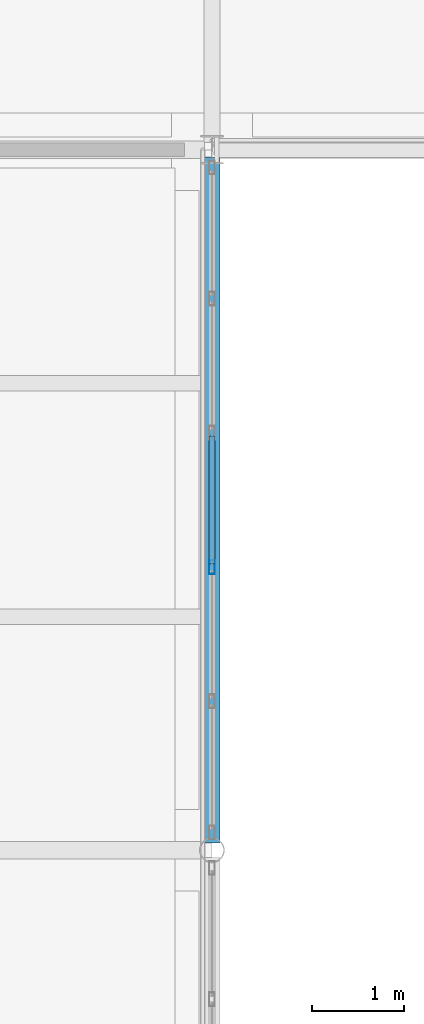
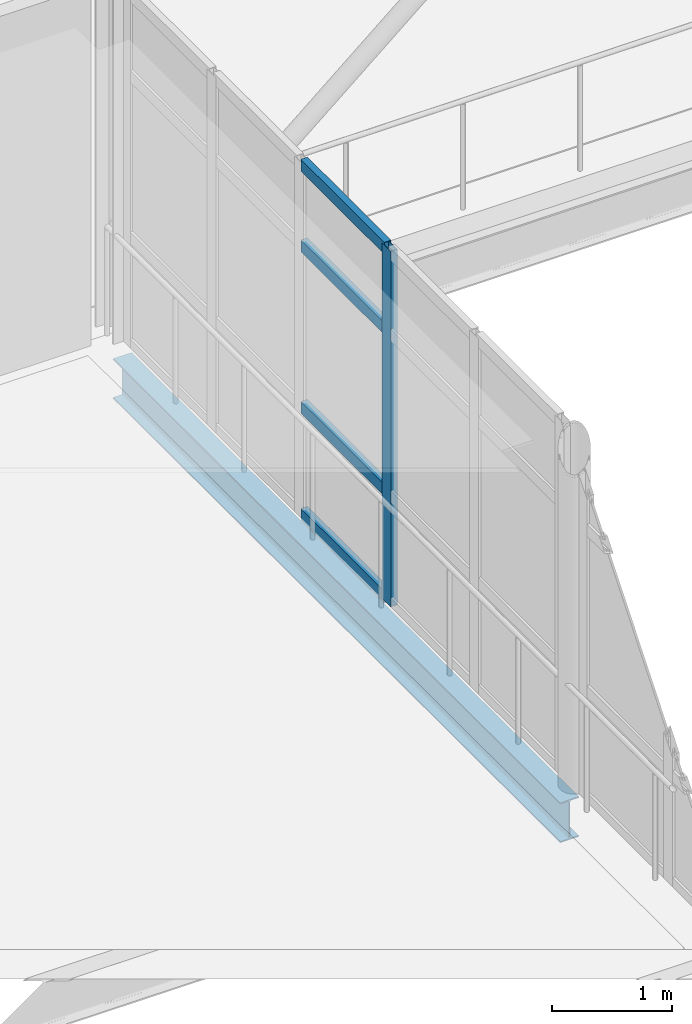
# One storey, part 75 of 174: 5 members, 1 beam, 1 element without a shape of its own.
"""IFC4 building model written with IfcOpenShell, lengths in metres."""

import ifcopenshell
import ifcopenshell.guid

model = None  # the IFC model being written
_history = None  # IfcOwnerHistory: only IFC2X3 demands one
_inside = {}  # id of a spatial element -> (the spatial element, [elements in it])
_under = {}  # id of a project, library or spatial element -> (it, [spatial elements below it])
_declared = {}  # id of a project -> (the project, [libraries it declares])
_typed = {}  # id of a type object -> (the type object, [elements of that type])
_made_of = {}  # id of a material, layer set ... -> (it, [elements and type objects made of it])


def new_model(schema):
    """Start an empty IFC model of exactly this schema.

    Asked for "IFC4X3", IfcOpenShell would pick the latest addendum, in which some entities
    have other attributes; the version numbers below select the first issue.
    IFC2X3 requires an IfcOwnerHistory on every rooted entity: one is made here for all.
    """
    global model, _history
    if schema == "IFC4X3":
        model = ifcopenshell.file(schema_version=(4, 3, 0, 0))
    else:
        model = ifcopenshell.file(schema=schema)
    _inside.clear()
    _under.clear()
    _declared.clear()
    _typed.clear()
    _made_of.clear()
    _history = None
    if model.schema == "IFC2X3":
        org = make("IfcOrganization", Name="unknown")
        user = make(
            "IfcPersonAndOrganization",
            ThePerson=make("IfcPerson", FamilyName="unknown"),
            TheOrganization=org,
        )
        app = make(
            "IfcApplication",
            ApplicationDeveloper=org,
            Version="unknown",
            ApplicationFullName="unknown",
            ApplicationIdentifier="unknown",
        )
        _history = make(
            "IfcOwnerHistory",
            OwningUser=user,
            OwningApplication=app,
            ChangeAction="ADDED",
            CreationDate=0,
        )
    return model


def make(cls, **values):
    """One entity of the class cls with the attributes given. An attribute that is None is left unset."""
    return model.create_entity(
        cls, **{name: value for name, value in values.items() if value is not None}
    )


def rooted(cls, **values):
    """An entity with a GlobalId (a new one), such as an element, a storey or a relation."""
    return make(cls, GlobalId=ifcopenshell.guid.new(), OwnerHistory=_history, **values)


def si_unit(unit_type, name, prefix=None):
    """IfcSIUnit, for example si_unit("LENGTHUNIT", "METRE", prefix="MILLI")."""
    return make("IfcSIUnit", UnitType=unit_type, Prefix=prefix, Name=name)


def assignment(units):
    """IfcUnitAssignment: the units of a project."""
    return None if units is None else make("IfcUnitAssignment", Units=units)


def point(xyz):
    """IfcCartesianPoint."""
    return None if xyz is None else make("IfcCartesianPoint", Coordinates=xyz)


def direction(xyz):
    """IfcDirection."""
    return None if xyz is None else make("IfcDirection", DirectionRatios=xyz)


def frame(location, z_axis=None, x_axis=None):
    """IfcAxis2Placement3D, a coordinate frame: its origin and axes. An axis left out is left unset."""
    return make(
        "IfcAxis2Placement3D",
        Location=point(location),
        Axis=direction(z_axis),
        RefDirection=direction(x_axis),
    )


def frame_2d(location, x_axis=None):
    """IfcAxis2Placement2D, a coordinate frame in the plane: its origin and x axis."""
    return make(
        "IfcAxis2Placement2D", Location=point(location), RefDirection=direction(x_axis)
    )


def origin():
    """The frame at (0, 0, 0) with its axes left unset."""
    return frame((0.0, 0.0, 0.0))


def origin_2d():
    """The frame at (0, 0) in the plane with its x axis left unset."""
    return frame_2d((0.0, 0.0))


def place(relative_to, where):
    """IfcLocalPlacement: puts the frame where relative to a parent placement (None: the world)."""
    return make(
        "IfcLocalPlacement", PlacementRelTo=relative_to, RelativePlacement=where
    )


def context(
    kind, dimensions, precision=None, world=None, true_north=None, identifier=None
):
    """IfcGeometricRepresentationContext, for example the 3D "Model" context."""
    return make(
        "IfcGeometricRepresentationContext",
        ContextIdentifier=identifier,
        ContextType=kind,
        CoordinateSpaceDimension=dimensions,
        Precision=precision,
        WorldCoordinateSystem=world,
        TrueNorth=true_north,
    )


def subcontext(parent, identifier, kind, view, scale=None):
    """IfcGeometricRepresentationSubContext, for example "Body" below "Model"."""
    return make(
        "IfcGeometricRepresentationSubContext",
        ContextIdentifier=identifier,
        ContextType=kind,
        ParentContext=parent,
        TargetScale=scale,
        TargetView=view,
    )


def project(units=None, contexts=None):
    """IfcProject with its units and contexts."""
    return rooted(
        "IfcProject",
        Name="project",
        RepresentationContexts=contexts,
        UnitsInContext=assignment(units),
    )


def spatial(cls, under=None, at=None, **own):
    """A site, building, storey or space (cls), placed at a placement, below another one or the project."""
    s = rooted(cls, ObjectPlacement=at, **own)
    if under is not None:
        _under.setdefault(under.id(), (under, []))[1].append(s)
    return s


def profile(cls, at=None, kind="AREA", **sizes):
    """A parametric profile (cls). Its sizes go by their IFC names, for example OverallWidth=200.0."""
    return make(cls, ProfileType=kind, Position=at, **sizes)


def hollow_rectangle(**sizes):
    """IfcRectangleHollowProfileDef."""
    return profile("IfcRectangleHollowProfileDef", **sizes)


def i_section(**sizes):
    """IfcIShapeProfileDef."""
    return profile("IfcIShapeProfileDef", **sizes)


def extrude(swept, where, along, depth):
    """IfcExtrudedAreaSolid: the profile swept, set in the frame where, extruded along a direction by depth."""
    return make(
        "IfcExtrudedAreaSolid",
        SweptArea=swept,
        Position=where,
        ExtrudedDirection=direction(along),
        Depth=depth,
    )


def shape(context_of_items, identifier, shape_type, items):
    """IfcShapeRepresentation: the items that make up one representation, for example the "Body"."""
    return make(
        "IfcShapeRepresentation",
        ContextOfItems=context_of_items,
        RepresentationIdentifier=identifier,
        RepresentationType=shape_type,
        Items=items,
    )


def material(Name=None, Category=None):
    """IfcMaterial."""
    return make("IfcMaterial", Name=Name, Category=Category)


def material_profile(
    of_material, cross_section, Name=None, Category=None, Priority=None
):
    """IfcMaterialProfile: a cross section and its material."""
    return make(
        "IfcMaterialProfile",
        Name=Name,
        Material=of_material,
        Profile=cross_section,
        Priority=Priority,
        Category=Category,
    )


def profile_set(profiles, Name=None, composite=None):
    """IfcMaterialProfileSet."""
    return make(
        "IfcMaterialProfileSet",
        Name=Name,
        MaterialProfiles=profiles,
        CompositeProfile=composite,
    )


def made_of(thing, what):
    """Note that an element or type object is made of a material, layer set ...; save() writes the relation."""
    if what is not None:
        _made_of.setdefault(what.id(), (what, []))[1].append(thing)
    return thing


def type_object(cls, material=None, **own):
    """A type object (cls), such as IfcWallType, which elements share."""
    return made_of(rooted(cls, **own), material)


def element(
    cls,
    number,
    at=None,
    inside=None,
    cuts=None,
    type_object=None,
    material=None,
    context=None,
    identifier="Body",
    shape_type=None,
    held_by="IfcProductDefinitionShape",
    body=None,
    shapes=None,
    **own,
):
    """One element of the class cls, such as IfcWall. Its Tag is "e" and its number.

    at: its placement. inside: the storey or other place that contains it. cuts: it is an
    opening in that element (IfcRelVoidsElement). A single representation is given by context,
    identifier, shape_type and body (its items); several are given by shapes. held_by: the class
    of the entity that holds the representations. save() writes the other relations.
    """
    e = rooted(cls, Tag="e%d" % number, ObjectPlacement=at, **own)
    if body is not None:
        shapes = [shape(context, identifier, shape_type, body)]
    if shapes is not None:
        e.Representation = make(held_by, Representations=shapes)
    if inside is not None:
        _inside.setdefault(inside.id(), (inside, []))[1].append(e)
    if cuts is not None:
        rooted(
            "IfcRelVoidsElement", RelatingBuildingElement=cuts, RelatedOpeningElement=e
        )
    if type_object is not None:
        _typed.setdefault(type_object.id(), (type_object, []))[1].append(e)
    return made_of(e, material)


def aggregate(whole, parts):
    """IfcRelAggregates: a whole, such as a stair, and the parts it consists of."""
    return rooted("IfcRelAggregates", RelatingObject=whole, RelatedObjects=parts)


def save(model, path):
    """Write the relations noted so far, then the file.

    IfcRelAggregates (storeys below a building ...), IfcRelContainedInSpatialStructure (elements
    in a storey), IfcRelDefinesByType, IfcRelAssociatesMaterial and IfcRelDeclares: one each for
    every whole, place, type object, material and project.
    """
    for whole, parts in _under.values():
        aggregate(whole, parts)
    for where, things in _inside.values():
        rooted(
            "IfcRelContainedInSpatialStructure",
            RelatedElements=things,
            RelatingStructure=where,
        )
    for kind, things in _typed.values():
        rooted("IfcRelDefinesByType", RelatedObjects=things, RelatingType=kind)
    for what, things in _made_of.values():
        rooted("IfcRelAssociatesMaterial", RelatedObjects=things, RelatingMaterial=what)
    for by, libraries in _declared.values():
        rooted("IfcRelDeclares", RelatingContext=by, RelatedDefinitions=libraries)
    model.write(path)


model = new_model("IFC4")

# Units and contexts
model_context = context("Model", 3, precision=1e-05, world=origin(), true_north=direction((0.0, 1.0)))
body_context = subcontext(model_context, "Body", "Model", "MODEL_VIEW")
ifc_project = project(units=[si_unit("LENGTHUNIT", "METRE"), si_unit("AREAUNIT", "SQUARE_METRE"), si_unit("VOLUMEUNIT", "CUBIC_METRE"), si_unit("PLANEANGLEUNIT", "RADIAN"), si_unit("MASSUNIT", "GRAM", prefix="KILO")], contexts=[model_context])

# Site, building, storey
site_placement = place(None, origin())
site = spatial("IfcSite", under=ifc_project, at=site_placement, CompositionType="ELEMENT")
building_placement = place(site_placement, origin())
building = spatial("IfcBuilding", under=site, at=building_placement, Name="Caisbarro Railhouse Central Library", CompositionType="ELEMENT")
storey_placement = place(building_placement, frame((0.0, 0.0, 5.0400390625)))
storey = spatial("IfcBuildingStorey", under=building, at=storey_placement, Name="L01", CompositionType="ELEMENT", Elevation=5.0400390625)

# Beam
ifc_material_1 = material(Name="Steel ASTM A572 Grade 50", Category="steel")
ifc_material_profile_1 = material_profile(ifc_material_1, i_section(OverallWidth=0.177978515625, OverallDepth=0.406982421875, WebThickness=0.0078125, FlangeThickness=0.0126953125, FilletRadius=0.01611328125, at=origin_2d()), Name="W410X60.0")
ifc_profile_set_1 = profile_set([ifc_material_profile_1], Name="Steel ASTM A572 Grade 50")
beam_type = type_object("IfcBeamType", Name="BM-G10", PredefinedType="BEAM", material=ifc_profile_set_1)
beam_placement = place(storey_placement, frame((63.0, 76.080078125, -0.403564453125), z_axis=(0.0, 1.0, 0.0), x_axis=(-1.0, 0.0, 0.0)))
element("IfcBeam", 1, at=beam_placement, inside=storey, type_object=beam_type, Name="G10 beam L01 #1253", PredefinedType="BEAM", context=body_context, shape_type="SweptSolid", body=[
    extrude(i_section(OverallWidth=0.177978515625, OverallDepth=0.406982421875, WebThickness=0.0078125, FlangeThickness=0.0126953125, FilletRadius=0.01611328125, at=origin_2d()), origin(), (0.0, 0.0, 1.0), 7.43994140625),
])

# Curtain wall, members
ifc_material_2 = material(Name="Anodised architectural aluminium", Category="aluminium")
curtain_wall_type = type_object("IfcCurtainWallType", Name="CW-CW03", PredefinedType="NOTDEFINED", material=ifc_material_2)
curtain_wall_placement = place(storey_placement, origin())
curtain_wall = element("IfcCurtainWall", 2, at=curtain_wall_placement, inside=storey, type_object=curtain_wall_type, Name="CW03 curtain wall L01 #197", PredefinedType="NOTDEFINED")
ifc_material_profile_2 = material_profile(ifc_material_2, hollow_rectangle(XDim=0.06494140625, YDim=0.14990234375, WallThickness=0.00390625, at=origin_2d()), Name="ALU-MUL-65X150")
ifc_profile_set_2 = profile_set([ifc_material_profile_2], Name="Anodised architectural aluminium")
member_type_1 = type_object("IfcMemberType", Name="CWM-M02", PredefinedType="MULLION", material=ifc_profile_set_2)
member_1_placement = place(storey_placement, frame((63.0, 79.072021484375, 0.0), z_axis=(0.0, 0.0, 1.0), x_axis=(-1.0, 0.0, 0.0)))
member_1 = element("IfcMember", 3, at=member_1_placement, type_object=member_type_1, Name="CW03 mullion 3", PredefinedType="MULLION", context=body_context, shape_type="SweptSolid", body=[
    extrude(hollow_rectangle(XDim=0.06494140625, YDim=0.14990234375, WallThickness=0.00390625, at=origin_2d()), origin(), (0.0, 0.0, 1.0), 3.60986328125),
])
ifc_material_profile_3 = material_profile(ifc_material_2, hollow_rectangle(XDim=0.06494140625, YDim=0.1201171875, WallThickness=0.00341796875, at=origin_2d()), Name="ALU-TRN-65X120")
ifc_profile_set_3 = profile_set([ifc_material_profile_3], Name="Anodised architectural aluminium")
member_type_2 = type_object("IfcMemberType", Name="CWT-T02", PredefinedType="USERDEFINED", material=ifc_profile_set_3)
member_2_placement = place(storey_placement, frame((63.0, 79.1044921875, 0.032470703125), z_axis=(0.0, 1.0, 0.0), x_axis=(-1.0, 0.0, 0.0)))
member_2 = element("IfcMember", 4, at=member_2_placement, type_object=member_type_2, Name="CW03 transom 3.1", ObjectType="TRANSOM", PredefinedType="USERDEFINED", context=body_context, shape_type="SweptSolid", body=[
    extrude(hollow_rectangle(XDim=0.06494140625, YDim=0.1201171875, WallThickness=0.00341796875, at=origin_2d()), origin(), (0.0, 0.0, 1.0), 1.39111328125),
])
member_3_placement = place(storey_placement, frame((63.0, 79.1044921875, 1.119873046875), z_axis=(0.0, 1.0, 0.0), x_axis=(-1.0, 0.0, 0.0)))
member_3 = element("IfcMember", 5, at=member_3_placement, type_object=member_type_2, Name="CW03 transom 3.2", ObjectType="TRANSOM", PredefinedType="USERDEFINED", context=body_context, shape_type="SweptSolid", body=[
    extrude(hollow_rectangle(XDim=0.06494140625, YDim=0.1201171875, WallThickness=0.00341796875, at=origin_2d()), origin(), (0.0, 0.0, 1.0), 1.39111328125),
])
member_4_placement = place(storey_placement, frame((63.0, 79.1044921875, 2.760009765625), z_axis=(0.0, 1.0, 0.0), x_axis=(-1.0, 0.0, 0.0)))
member_4 = element("IfcMember", 6, at=member_4_placement, type_object=member_type_2, Name="CW03 transom 3.3", ObjectType="TRANSOM", PredefinedType="USERDEFINED", context=body_context, shape_type="SweptSolid", body=[
    extrude(hollow_rectangle(XDim=0.06494140625, YDim=0.1201171875, WallThickness=0.00341796875, at=origin_2d()), origin(), (0.0, 0.0, 1.0), 1.39111328125),
])
member_5_placement = place(storey_placement, frame((63.0, 79.1044921875, 3.577392578125), z_axis=(0.0, 1.0, 0.0), x_axis=(-1.0, 0.0, 0.0)))
member_5 = element("IfcMember", 7, at=member_5_placement, type_object=member_type_2, Name="CW03 transom 3.4", ObjectType="TRANSOM", PredefinedType="USERDEFINED", context=body_context, shape_type="SweptSolid", body=[
    extrude(hollow_rectangle(XDim=0.06494140625, YDim=0.1201171875, WallThickness=0.00341796875, at=origin_2d()), origin(), (0.0, 0.0, 1.0), 1.39111328125),
])
aggregate(curtain_wall, [member_1, member_2, member_3, member_4, member_5])

save(model, "model.ifc")
